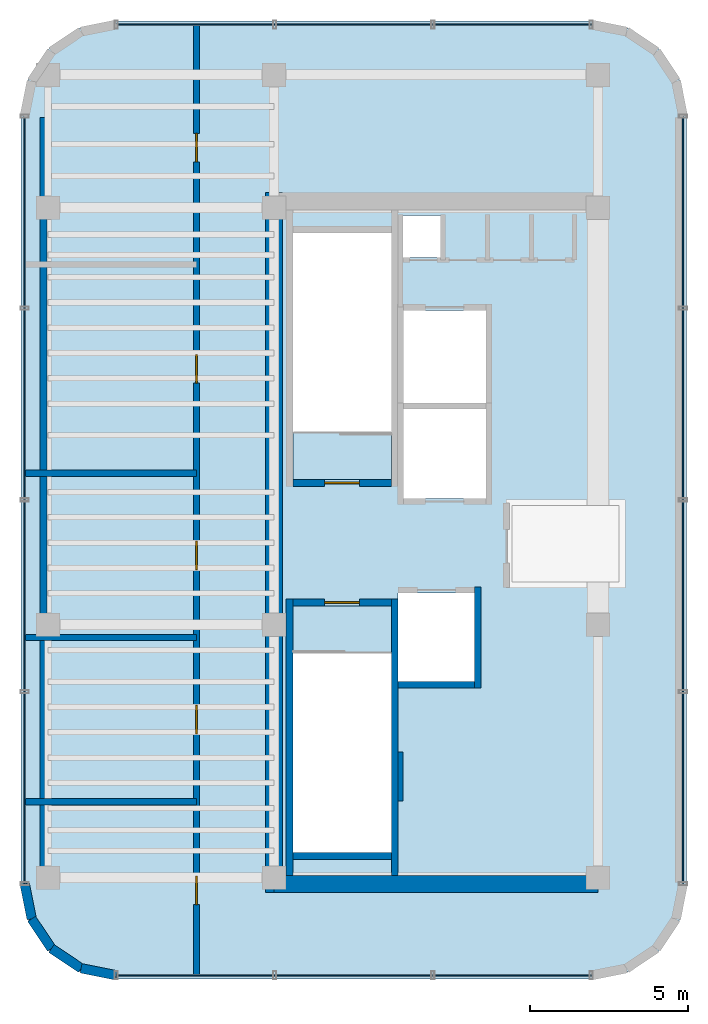
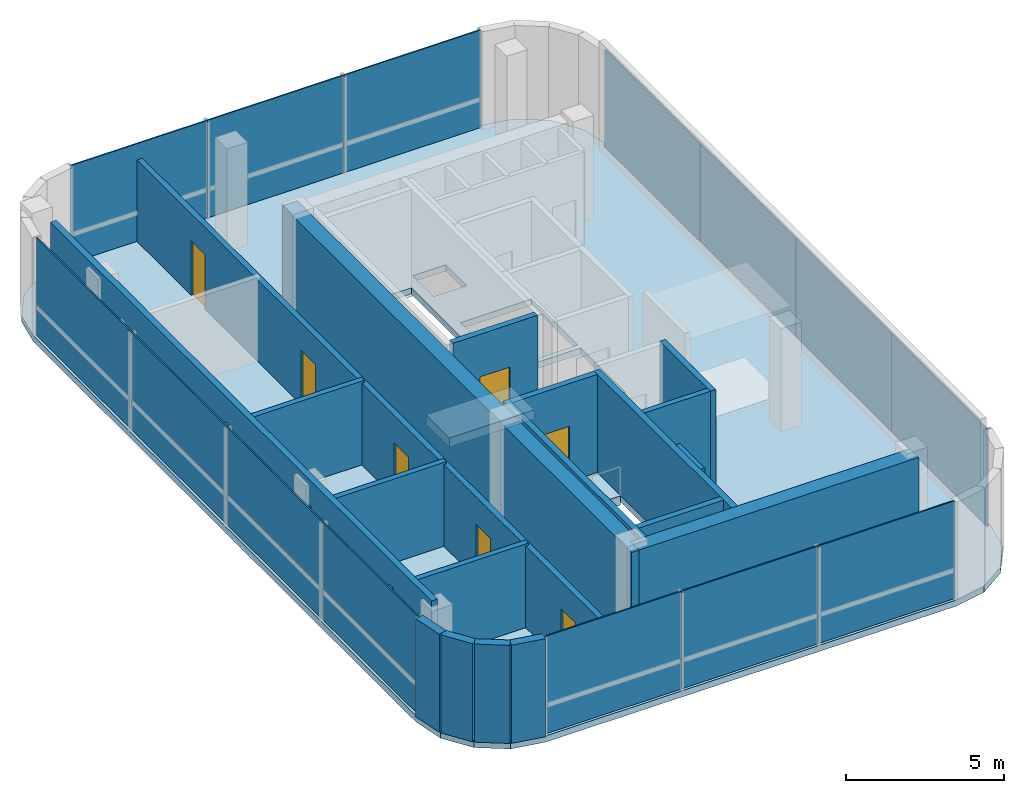
# One storey, part 9 of 11: 19 walls, 14 plates, 7 doors, 3 slabs, 7 openings, 4 elements without a shape of their own.
"""IFC4 building model written with IfcOpenShell, lengths in metres."""

from ifc_helpers import new_model, si_unit, direction, frame, frame_2d, origin, origin_2d, place, context, subcontext, project, spatial, polyline, rectangle, outline, extrude, source, transform, mapped, material, layer, layer_set, type_object, element, fill, aggregate, save


model = new_model("IFC4")

# Units and contexts
model_context = context("Model", 3, precision=1e-05, world=origin(), true_north=direction((0.0, 1.0)))
body_context = subcontext(model_context, "Body", "Model", "MODEL_VIEW")
ifc_project = project(units=[si_unit("LENGTHUNIT", "METRE"), si_unit("AREAUNIT", "SQUARE_METRE"), si_unit("VOLUMEUNIT", "CUBIC_METRE"), si_unit("PLANEANGLEUNIT", "RADIAN"), si_unit("MASSUNIT", "GRAM", prefix="KILO")], contexts=[model_context])

# Site, building, storey
site_placement = place(None, origin())
site = spatial("IfcSite", under=ifc_project, at=site_placement, CompositionType="ELEMENT")
building_placement = place(site_placement, origin())
building = spatial("IfcBuilding", under=site, at=building_placement, Name="Valdorenza Pilgrim Sanctuary Tower", CompositionType="ELEMENT")
storey_placement = place(building_placement, frame((0.0, 0.0, 303.60009765625)))
storey = spatial("IfcBuildingStorey", under=building, at=storey_placement, Name="L79", CompositionType="ELEMENT", Elevation=303.60009765625)

# Slabs
ifc_material_1 = material(Name="Concrete C40/50", Category="concrete")
ifc_layer_1 = layer(ifc_material_1, 0.239990234375, Name="Concrete C40/50")
ifc_layer_set_1 = layer_set([ifc_layer_1], Name="Concrete C40/50")
slab_type_1 = type_object("IfcSlabType", Name="SLAB-PLT-240", PredefinedType="FLOOR", material=ifc_layer_set_1)
slab_1_placement = place(storey_placement, frame((0.0, 0.0, -0.239990234375)))
element("IfcSlab", 1, at=slab_1_placement, inside=storey, type_object=slab_type_1, Name="L79 Structural Floor Slab 1", PredefinedType="FLOOR", context=body_context, shape_type="SweptSolid", body=[
    extrude(outline(polyline([(-30.64990234375, 13.5), (-30.421630859375, 14.648193359375), (-29.771240234375, 15.621337890625), (-28.798095703125, 16.271484375), (-27.64990234375, 16.5), (-12.60009765625, 16.5), (-11.451904296875, 16.271484375), (-10.478759765625, 15.621337890625), (-9.828369140625, 14.648193359375), (-9.60009765625, 13.5), (-9.60009765625, -10.800048828125), (-9.828369140625, -11.947998046875), (-10.478759765625, -12.92138671875), (-11.451904296875, -13.571533203125), (-12.60009765625, -13.800048828125), (-27.64990234375, -13.800048828125), (-28.798095703125, -13.571533203125), (-29.771240234375, -12.92138671875), (-30.421630859375, -11.947998046875), (-30.64990234375, -10.800048828125), (-30.64990234375, 13.5)]), holes=[polyline([(-18.93994140625, -9.800048828125), (-18.93994140625, -3.485107421875), (-18.93994140625, -2.0), (-22.050048828125, -2.0), (-22.050048828125, -3.485107421875), (-22.050048828125, -9.800048828125), (-18.93994140625, -9.800048828125)]), polyline([(-16.300048828125, -1.60009765625), (-18.719970703125, -1.60009765625), (-18.719970703125, -4.39990234375), (-16.300048828125, -4.39990234375), (-16.300048828125, -1.60009765625)]), polyline([(-18.93994140625, 3.485107421875), (-18.93994140625, 9.800048828125), (-22.050048828125, 9.800048828125), (-22.050048828125, 3.485107421875), (-22.050048828125, 2.0), (-18.93994140625, 2.0), (-18.93994140625, 3.485107421875)]), polyline([(-15.949951171875, 4.22509765625), (-18.550048828125, 4.22509765625), (-18.550048828125, 1.39990234375), (-15.949951171875, 1.39990234375), (-15.949951171875, 4.22509765625)]), polyline([(-15.949951171875, 7.35009765625), (-18.550048828125, 7.35009765625), (-18.550048828125, 4.425048828125), (-15.949951171875, 4.425048828125), (-15.949951171875, 7.35009765625)]), polyline([(-17.360107421875, 10.35009765625), (-18.570068359375, 10.35009765625), (-18.570068359375, 9.030029296875), (-17.360107421875, 9.030029296875), (-17.360107421875, 10.35009765625)])]), origin(), (0.0, 0.0, 1.0), 0.239990234375),
])
ifc_material_2 = material(Name="Concrete C50/60", Category="concrete")
ifc_layer_2 = layer(ifc_material_2, 0.39990234375, Name="Concrete C50/60")
ifc_layer_set_2 = layer_set([ifc_layer_2], Name="Concrete C50/60")
slab_type_2 = type_object("IfcSlabType", Name="SLAB-TRF-400", PredefinedType="FLOOR", material=ifc_layer_set_2)
slab_2_placement = place(storey_placement, frame((0.0, 0.0, -0.360107421875)))
element("IfcSlab", 2, at=slab_2_placement, inside=storey, type_object=slab_type_2, Name="L79 ST-A1 Structural Stair Landing Bearing Slab", PredefinedType="FLOOR", context=body_context, shape_type="SweptSolid", body=[
    extrude(outline(polyline([(-22.050048828125, 2.0), (-18.93994140625, 2.0), (-18.93994140625, 3.485107421875), (-22.050048828125, 3.485107421875), (-22.050048828125, 2.0)])), origin(), (0.0, 0.0, 1.0), 0.360107421875),
])
slab_3_placement = place(storey_placement, frame((0.0, 0.0, -0.360107421875)))
element("IfcSlab", 3, at=slab_3_placement, inside=storey, type_object=slab_type_2, Name="L79 ST-A2 Structural Stair Landing Bearing Slab", PredefinedType="FLOOR", context=body_context, shape_type="SweptSolid", body=[
    extrude(outline(polyline([(-22.050048828125, -3.485107421875), (-18.93994140625, -3.485107421875), (-18.93994140625, -2.0), (-22.050048828125, -2.0), (-22.050048828125, -3.485107421875)])), origin(), (0.0, 0.0, 1.0), 0.360107421875),
])

# Curtain wall, plates
ifc_material_3 = material(Name="Curtain-wall IGU glazing", Category="glass")
curtain_wall_type = type_object("IfcCurtainWallType", Name="CW-SYS-06", PredefinedType="NOTDEFINED", material=ifc_material_3)
curtain_wall_1_placement = place(storey_placement, origin())
curtain_wall_1 = element("IfcCurtainWall", 4, at=curtain_wall_1_placement, inside=storey, type_object=curtain_wall_type, Name="L79 Curtain Wall CW-L79-1-1", PredefinedType="NOTDEFINED")
ifc_material_4 = material(Name="Translucent white ceramic-fritted crown lantern glass", Category="glass")
ifc_layer_3 = layer(ifc_material_4, 0.0419921875, Name="Translucent white ceramic-fritted crown lantern glass")
ifc_layer_set_3 = layer_set([ifc_layer_3], Name="Translucent white ceramic-fritted crown lantern glass")
plate_type = type_object("IfcPlateType", Name="CW-GLZ-CROWN", PredefinedType="USERDEFINED", material=ifc_layer_set_3)
shared_shape_1 = source(origin(), body_context, "Body", "SweptSolid", [
    extrude(rectangle(XDim=6.049560546875, YDim=0.050048828125, at=origin_2d()), origin(), (0.0, 0.0, 1.0), 3.780029296875),
])
plate_1_placement = place(storey_placement, frame((-30.5400390625, -7.75439453125, 0.009765625), z_axis=(0.0, 0.0, 1.0), x_axis=(0.0, 1.0, 0.0)))
plate_1 = element("IfcPlate", 5, at=plate_1_placement, type_object=plate_type, Name="CW-L79-1-1 Full-Height Facade Panel 1", ObjectType="GLAZING", PredefinedType="USERDEFINED", context=body_context, shape_type="MappedRepresentation", body=[
    mapped(shared_shape_1, transform((0.0, 0.0, 0.0), x_axis=(1.0, 0.0, 0.0), y_axis=(0.0, 1.0, 0.0), z_axis=(0.0, 0.0, 1.0), scale=1.0)),
])
plate_2_placement = place(storey_placement, frame((-30.5400390625, -1.684814453125, 0.009765625), z_axis=(0.0, 0.0, 1.0), x_axis=(0.0, 1.0, 0.0)))
plate_2 = element("IfcPlate", 6, at=plate_2_placement, type_object=plate_type, Name="CW-L79-1-1 Full-Height Facade Panel 2", ObjectType="GLAZING", PredefinedType="USERDEFINED", context=body_context, shape_type="MappedRepresentation", body=[
    mapped(shared_shape_1, transform((0.0, 0.0, 0.0), x_axis=(1.0, 0.0, 0.0), y_axis=(0.0, 1.0, 0.0), z_axis=(0.0, 0.0, 1.0), scale=1.0)),
])
plate_3_placement = place(storey_placement, frame((-30.5400390625, 4.384765625, 0.009765625), z_axis=(0.0, 0.0, 1.0), x_axis=(0.0, 1.0, 0.0)))
plate_3 = element("IfcPlate", 7, at=plate_3_placement, type_object=plate_type, Name="CW-L79-1-1 Full-Height Facade Panel 3", ObjectType="GLAZING", PredefinedType="USERDEFINED", context=body_context, shape_type="MappedRepresentation", body=[
    mapped(shared_shape_1, transform((0.0, 0.0, 0.0), x_axis=(1.0, 0.0, 0.0), y_axis=(0.0, 1.0, 0.0), z_axis=(0.0, 0.0, 1.0), scale=1.0)),
])
plate_4_placement = place(storey_placement, frame((-30.5400390625, 10.454345703125, 0.009765625), z_axis=(0.0, 0.0, 1.0), x_axis=(0.0, 1.0, 0.0)))
plate_4 = element("IfcPlate", 8, at=plate_4_placement, type_object=plate_type, Name="CW-L79-1-1 Full-Height Facade Panel 4", ObjectType="GLAZING", PredefinedType="USERDEFINED", context=body_context, shape_type="MappedRepresentation", body=[
    mapped(shared_shape_1, transform((0.0, 0.0, 0.0), x_axis=(1.0, 0.0, 0.0), y_axis=(0.0, 1.0, 0.0), z_axis=(0.0, 0.0, 1.0), scale=1.0)),
])
aggregate(curtain_wall_1, [plate_1, plate_2, plate_3, plate_4])

curtain_wall_2_placement = place(storey_placement, origin())
curtain_wall_2 = element("IfcCurtainWall", 9, at=curtain_wall_2_placement, inside=storey, type_object=curtain_wall_type, Name="L79 Curtain Wall CW-L79-1-11", PredefinedType="NOTDEFINED")
plate_5_placement = place(storey_placement, frame((-9.7099609375, 10.454345703125, 0.009765625), z_axis=(0.0, 0.0, 1.0), x_axis=(0.0, -1.0, 0.0)))
plate_5 = element("IfcPlate", 10, at=plate_5_placement, type_object=plate_type, Name="CW-L79-1-11 Full-Height Facade Panel 1", ObjectType="GLAZING", PredefinedType="USERDEFINED", context=body_context, shape_type="MappedRepresentation", body=[
    mapped(shared_shape_1, transform((0.0, 0.0, 0.0), x_axis=(1.0, 0.0, 0.0), y_axis=(0.0, 1.0, 0.0), z_axis=(0.0, 0.0, 1.0), scale=1.0)),
])
plate_6_placement = place(storey_placement, frame((-9.7099609375, 4.384765625, 0.009765625), z_axis=(0.0, 0.0, 1.0), x_axis=(0.0, -1.0, 0.0)))
plate_6 = element("IfcPlate", 11, at=plate_6_placement, type_object=plate_type, Name="CW-L79-1-11 Full-Height Facade Panel 2", ObjectType="GLAZING", PredefinedType="USERDEFINED", context=body_context, shape_type="MappedRepresentation", body=[
    mapped(shared_shape_1, transform((0.0, 0.0, 0.0), x_axis=(1.0, 0.0, 0.0), y_axis=(0.0, 1.0, 0.0), z_axis=(0.0, 0.0, 1.0), scale=1.0)),
])
plate_7_placement = place(storey_placement, frame((-9.7099609375, -1.684814453125, 0.009765625), z_axis=(0.0, 0.0, 1.0), x_axis=(0.0, -1.0, 0.0)))
plate_7 = element("IfcPlate", 12, at=plate_7_placement, type_object=plate_type, Name="CW-L79-1-11 Full-Height Facade Panel 3", ObjectType="GLAZING", PredefinedType="USERDEFINED", context=body_context, shape_type="MappedRepresentation", body=[
    mapped(shared_shape_1, transform((0.0, 0.0, 0.0), x_axis=(1.0, 0.0, 0.0), y_axis=(0.0, 1.0, 0.0), z_axis=(0.0, 0.0, 1.0), scale=1.0)),
])
plate_8_placement = place(storey_placement, frame((-9.7099609375, -7.75439453125, 0.009765625), z_axis=(0.0, 0.0, 1.0), x_axis=(0.0, -1.0, 0.0)))
plate_8 = element("IfcPlate", 13, at=plate_8_placement, type_object=plate_type, Name="CW-L79-1-11 Full-Height Facade Panel 4", ObjectType="GLAZING", PredefinedType="USERDEFINED", context=body_context, shape_type="MappedRepresentation", body=[
    mapped(shared_shape_1, transform((0.0, 0.0, 0.0), x_axis=(1.0, 0.0, 0.0), y_axis=(0.0, 1.0, 0.0), z_axis=(0.0, 0.0, 1.0), scale=1.0)),
])
aggregate(curtain_wall_2, [plate_5, plate_6, plate_7, plate_8])

curtain_wall_3_placement = place(storey_placement, origin())
curtain_wall_3 = element("IfcCurtainWall", 14, at=curtain_wall_3_placement, inside=storey, type_object=curtain_wall_type, Name="L79 Curtain Wall CW-L79-1-6", PredefinedType="NOTDEFINED")
shared_shape_2 = source(origin(), body_context, "Body", "SweptSolid", [
    extrude(rectangle(XDim=4.989501953125, YDim=0.050048828125, at=origin_2d()), origin(), (0.0, 0.0, 1.0), 3.780029296875),
])
plate_9_placement = place(storey_placement, frame((-25.134521484375, 16.389892578125, 0.009765625), z_axis=(0.0, 0.0, 1.0), x_axis=(1.0, 0.0, 0.0)))
plate_9 = element("IfcPlate", 15, at=plate_9_placement, type_object=plate_type, Name="CW-L79-1-6 Full-Height Facade Panel 1", ObjectType="GLAZING", PredefinedType="USERDEFINED", context=body_context, shape_type="MappedRepresentation", body=[
    mapped(shared_shape_2, transform((0.0, 0.0, 0.0), x_axis=(1.0, 0.0, 0.0), y_axis=(0.0, 1.0, 0.0), z_axis=(0.0, 0.0, 1.0), scale=1.0)),
])
plate_10_placement = place(storey_placement, frame((-20.125, 16.389892578125, 0.009765625), z_axis=(0.0, 0.0, 1.0), x_axis=(1.0, 0.0, 0.0)))
plate_10 = element("IfcPlate", 16, at=plate_10_placement, type_object=plate_type, Name="CW-L79-1-6 Full-Height Facade Panel 2", ObjectType="GLAZING", PredefinedType="USERDEFINED", context=body_context, shape_type="MappedRepresentation", body=[
    mapped(shared_shape_2, transform((0.0, 0.0, 0.0), x_axis=(1.0, 0.0, 0.0), y_axis=(0.0, 1.0, 0.0), z_axis=(0.0, 0.0, 1.0), scale=1.0)),
])
plate_11_placement = place(storey_placement, frame((-15.115478515625, 16.389892578125, 0.009765625), z_axis=(0.0, 0.0, 1.0), x_axis=(1.0, 0.0, 0.0)))
plate_11 = element("IfcPlate", 17, at=plate_11_placement, type_object=plate_type, Name="CW-L79-1-6 Full-Height Facade Panel 3", ObjectType="GLAZING", PredefinedType="USERDEFINED", context=body_context, shape_type="MappedRepresentation", body=[
    mapped(shared_shape_2, transform((0.0, 0.0, 0.0), x_axis=(1.0, 0.0, 0.0), y_axis=(0.0, 1.0, 0.0), z_axis=(0.0, 0.0, 1.0), scale=1.0)),
])
aggregate(curtain_wall_3, [plate_9, plate_10, plate_11])

curtain_wall_4_placement = place(storey_placement, origin())
curtain_wall_4 = element("IfcCurtainWall", 18, at=curtain_wall_4_placement, inside=storey, type_object=curtain_wall_type, Name="L79 Curtain Wall CW-L79-1-16", PredefinedType="NOTDEFINED")
plate_12_placement = place(storey_placement, frame((-15.115478515625, -13.68994140625, 0.009765625), z_axis=(0.0, 0.0, 1.0), x_axis=(-1.0, 0.0, 0.0)))
plate_12 = element("IfcPlate", 19, at=plate_12_placement, type_object=plate_type, Name="CW-L79-1-16 Full-Height Facade Panel 1", ObjectType="GLAZING", PredefinedType="USERDEFINED", context=body_context, shape_type="MappedRepresentation", body=[
    mapped(shared_shape_2, transform((0.0, 0.0, 0.0), x_axis=(1.0, 0.0, 0.0), y_axis=(0.0, 1.0, 0.0), z_axis=(0.0, 0.0, 1.0), scale=1.0)),
])
plate_13_placement = place(storey_placement, frame((-20.125, -13.68994140625, 0.009765625), z_axis=(0.0, 0.0, 1.0), x_axis=(-1.0, 0.0, 0.0)))
plate_13 = element("IfcPlate", 20, at=plate_13_placement, type_object=plate_type, Name="CW-L79-1-16 Full-Height Facade Panel 2", ObjectType="GLAZING", PredefinedType="USERDEFINED", context=body_context, shape_type="MappedRepresentation", body=[
    mapped(shared_shape_2, transform((0.0, 0.0, 0.0), x_axis=(1.0, 0.0, 0.0), y_axis=(0.0, 1.0, 0.0), z_axis=(0.0, 0.0, 1.0), scale=1.0)),
])
plate_14_placement = place(storey_placement, frame((-25.134521484375, -13.68994140625, 0.009765625), z_axis=(0.0, 0.0, 1.0), x_axis=(-1.0, 0.0, 0.0)))
plate_14 = element("IfcPlate", 21, at=plate_14_placement, type_object=plate_type, Name="CW-L79-1-16 Full-Height Facade Panel 3", ObjectType="GLAZING", PredefinedType="USERDEFINED", context=body_context, shape_type="MappedRepresentation", body=[
    mapped(shared_shape_2, transform((0.0, 0.0, 0.0), x_axis=(1.0, 0.0, 0.0), y_axis=(0.0, 1.0, 0.0), z_axis=(0.0, 0.0, 1.0), scale=1.0)),
])
aggregate(curtain_wall_4, [plate_12, plate_13, plate_14])

# Walls
ifc_material_5 = material(Name="Acoustic twin-stud gypsum partition", Category="gypsum")
ifc_layer_4 = layer(ifc_material_5, 0.159912109375, Name="Acoustic twin-stud gypsum partition")
ifc_layer_set_4 = layer_set([ifc_layer_4], Name="Acoustic twin-stud gypsum partition")
wall_type_1 = type_object("IfcWallType", Name="WAL-COR-160", PredefinedType="PARTITIONING", material=ifc_layer_set_4)
wall_1_placement = place(storey_placement, frame((-18.64990234375, -8.179931640625, 0.0), z_axis=(0.0, 0.0, 1.0), x_axis=(0.0, 1.0, 0.0)))
element("IfcWall", 22, at=wall_1_placement, inside=storey, type_object=wall_type_1, Name="L79 Core A South Lift Hall West Wall", PredefinedType="PARTITIONING", context=body_context, shape_type="SweptSolid", body=[
    extrude(rectangle(XDim=1.559814453125, YDim=0.159912109375, at=frame_2d((0.77978515625, 0.0))), origin(), (0.0, 0.0, 1.0), 3.7998046875),
])
ifc_layer_5 = layer(ifc_material_2, 0.550048828125, Name="Concrete C50/60")
ifc_layer_set_5 = layer_set([ifc_layer_5], Name="Concrete C50/60")
wall_type_2 = type_object("IfcWallType", Name="WAL-COR-550", PredefinedType="SHEAR", material=ifc_layer_set_5)
wall_2_placement = place(storey_placement, frame((-22.64990234375, -11.074951171875, 0.0), z_axis=(0.0, 0.0, 1.0), x_axis=(0.0, 1.0, 0.0)))
element("IfcWall", 23, at=wall_2_placement, inside=storey, type_object=wall_type_2, Name="L79 Split Core A Shear Wall W", PredefinedType="SHEAR", context=body_context, shape_type="SweptSolid", body=[
    extrude(rectangle(XDim=22.14990234375, YDim=0.550048828125, at=frame_2d((11.074951171875, 0.0))), origin(), (0.0, 0.0, 1.0), 3.7998046875),
])
wall_3_placement = place(storey_placement, frame((-22.64990234375, -10.800048828125, 0.0), z_axis=(0.0, 0.0, 1.0), x_axis=(1.0, 0.0, 0.0)))
element("IfcWall", 24, at=wall_3_placement, inside=storey, type_object=wall_type_2, Name="L79 Split Core A Shear Wall S", PredefinedType="SHEAR", context=body_context, shape_type="SweptSolid", body=[
    extrude(rectangle(XDim=10.25, YDim=0.550048828125, at=frame_2d((5.125, 0.0))), origin(), (0.0, 0.0, 1.0), 3.7998046875),
])
ifc_material_6 = material(Name="Honed travertine limestone", Category="masonry")
ifc_layer_6 = layer(ifc_material_6, 0.300048828125, Name="Honed travertine limestone")
ifc_layer_set_6 = layer_set([ifc_layer_6], Name="Honed travertine limestone")
wall_type_3 = type_object("IfcWallType", Name="WAL-EXT-300", PredefinedType="SOLIDWALL", material=ifc_layer_set_6)
wall_4_placement = place(storey_placement, frame((-27.63916015625, -13.68994140625, 0.0), z_axis=(0.0, 0.0, 1.0), x_axis=(-0.980794657743, 0.195043173023, 0.0)))
element("IfcWall", 25, at=wall_4_placement, inside=storey, type_object=wall_type_3, Name="L79 Rounded Wind-Corner Stone Pier 17", PredefinedType="SOLIDWALL", context=body_context, shape_type="SweptSolid", body=[
    extrude(rectangle(XDim=1.137939453125, YDim=0.300048828125, at=frame_2d((0.56884765625, 0.0))), origin(), (0.0, 0.0, 1.0), 3.7998046875),
])
for number, where, z_axis, x_axis, name in (
    (26, (-28.755126953125, -13.468017578125, 0.0), (0.0, 0.0, 1.0), (-0.831449735491, 0.555599979619, 0.0), "L79 Rounded Wind-Corner Stone Pier 18"),
    (27, (-29.69189453125, -12.842041015625, 0.0), (0.0, 0.0, 1.0), (-0.555749754081, 0.831349632128, 0.0), "L79 Rounded Wind-Corner Stone Pier 19"),
):
    element("IfcWall", number, at=place(storey_placement, frame(where, z_axis=z_axis, x_axis=x_axis)), inside=storey, type_object=wall_type_3, Name=name, PredefinedType="SOLIDWALL", context=body_context, shape_type="SweptSolid", body=[
        extrude(rectangle(XDim=1.126708984375, YDim=0.300048828125, at=frame_2d((0.5634765625, 0.0))), origin(), (0.0, 0.0, 1.0), 3.7998046875),
    ])
wall_5_placement = place(storey_placement, frame((-30.318115234375, -11.9052734375, 0.0), z_axis=(0.0, 0.0, 1.0), x_axis=(-0.195043173023, 0.980794657743, 0.0)))
element("IfcWall", 28, at=wall_5_placement, inside=storey, type_object=wall_type_3, Name="L79 Rounded Wind-Corner Stone Pier 20", PredefinedType="SOLIDWALL", context=body_context, shape_type="SweptSolid", body=[
    extrude(rectangle(XDim=1.137939453125, YDim=0.300048828125, at=frame_2d((0.56884765625, 0.0))), origin(), (0.0, 0.0, 1.0), 3.7998046875),
])

# Wall, openings, doors
ifc_material_7 = material(Name="Gypsum shaftwall partition", Category="gypsum")
ifc_layer_7 = layer(ifc_material_7, 0.199951171875, Name="Gypsum shaftwall partition")
ifc_layer_set_7 = layer_set([ifc_layer_7], Name="Gypsum shaftwall partition")
wall_type_4 = type_object("IfcWallType", Name="WAL-FFL-200", PredefinedType="PARTITIONING", material=ifc_layer_set_7)
wall_6_placement = place(storey_placement, frame((-25.10009765625, -13.68994140625, 0.0), z_axis=(0.0, 0.0, 1.0), x_axis=(0.0, 1.0, 0.0)))
wall_6 = element("IfcWall", 29, at=wall_6_placement, inside=storey, type_object=wall_type_4, Name="L79 L79 Mechanical Plant Wall", PredefinedType="PARTITIONING", context=body_context, shape_type="SweptSolid", body=[
    extrude(rectangle(XDim=30.079833984375, YDim=0.199951171875, at=frame_2d((15.0400390625, 0.0))), origin(), (0.0, 0.0, 1.0), 3.162841796875),
])
opening_1_placement = place(wall_6_placement, frame((2.239990234375, 0.0, 0.0)))
opening_1 = element("IfcOpeningElement", 30, at=opening_1_placement, cuts=wall_6, Name="Opening DR-RM1", PredefinedType="OPENING", context=body_context, shape_type="SweptSolid", body=[
    extrude(rectangle(XDim=0.89990234375, YDim=2.10009765625, at=frame_2d((0.449951171875, 1.050048828125))), frame((0.0, 0.11474609375, 0.0), z_axis=(0.0, -1.0, 0.0), x_axis=(1.0, 0.0, 0.0)), (0.0, 0.0, 1.0), 0.229736328125),
])
opening_2_placement = place(wall_6_placement, frame((7.639892578125, 0.0, 0.0)))
opening_2 = element("IfcOpeningElement", 31, at=opening_2_placement, cuts=wall_6, Name="Opening DR-RM1", PredefinedType="OPENING", context=body_context, shape_type="SweptSolid", body=[
    extrude(rectangle(XDim=0.89990234375, YDim=2.10009765625, at=frame_2d((0.449951171875, 1.050048828125))), frame((0.0, 0.11474609375, 0.0), z_axis=(0.0, -1.0, 0.0), x_axis=(1.0, 0.0, 0.0)), (0.0, 0.0, 1.0), 0.229736328125),
])
opening_3_placement = place(wall_6_placement, frame((12.840087890625, 0.0, 0.0)))
opening_3 = element("IfcOpeningElement", 32, at=opening_3_placement, cuts=wall_6, Name="Opening DR-RM1", PredefinedType="OPENING", context=body_context, shape_type="SweptSolid", body=[
    extrude(rectangle(XDim=0.89990234375, YDim=2.10009765625, at=frame_2d((0.449951171875, 1.050048828125))), frame((0.0, 0.11474609375, 0.0), z_axis=(0.0, -1.0, 0.0), x_axis=(1.0, 0.0, 0.0)), (0.0, 0.0, 1.0), 0.229736328125),
])
opening_4_placement = place(wall_6_placement, frame((18.739990234375, 0.0, 0.0)))
opening_4 = element("IfcOpeningElement", 33, at=opening_4_placement, cuts=wall_6, Name="Opening DR-RM1", PredefinedType="OPENING", context=body_context, shape_type="SweptSolid", body=[
    extrude(rectangle(XDim=0.89990234375, YDim=2.10009765625, at=frame_2d((0.449951171875, 1.050048828125))), frame((0.0, 0.11474609375, 0.0), z_axis=(0.0, -1.0, 0.0), x_axis=(1.0, 0.0, 0.0)), (0.0, 0.0, 1.0), 0.229736328125),
])
opening_5_placement = place(wall_6_placement, frame((25.739990234375, 0.0, 0.0)))
opening_5 = element("IfcOpeningElement", 34, at=opening_5_placement, cuts=wall_6, Name="Opening DR-RM1", PredefinedType="OPENING", context=body_context, shape_type="SweptSolid", body=[
    extrude(rectangle(XDim=0.89990234375, YDim=2.10009765625, at=frame_2d((0.449951171875, 1.050048828125))), frame((0.0, 0.11474609375, 0.0), z_axis=(0.0, -1.0, 0.0), x_axis=(1.0, 0.0, 0.0)), (0.0, 0.0, 1.0), 0.229736328125),
])
ifc_material_8 = material(Name="Solid-core European oak timber", Category="wood")
door_type_1 = type_object("IfcDoorType", Name="DR-ROOM-900", OperationType="NOTDEFINED", PredefinedType="DOOR", material=ifc_material_8)
door_1_placement = place(opening_1_placement, frame((0.89990234375, 0.0, 0.0), z_axis=(0.0, 0.0, 1.0), x_axis=(-1.0, 0.0, 0.0)))
door_1 = element("IfcDoor", 35, at=door_1_placement, inside=storey, type_object=door_type_1, Name="L79 L79 Chilled-Water Booster Plant Room Door", OperationType="SINGLE_SWING_LEFT", OverallHeight=2.10009765625, OverallWidth=0.89990234375, PredefinedType="DOOR", context=body_context, shape_type="SweptSolid", body=[
    extrude(rectangle(XDim=0.89990234375, YDim=2.10009765625, at=frame_2d((0.449951171875, 1.050048828125))), frame((0.0, 0.02490234375, 0.0), z_axis=(0.0, -1.0, 0.0), x_axis=(1.0, 0.0, 0.0)), (0.0, 0.0, 1.0), 0.050048828125),
])
fill(opening_1, door_1)
door_2_placement = place(opening_2_placement, origin())
door_2 = element("IfcDoor", 36, at=door_2_placement, inside=storey, type_object=door_type_1, Name="L79 L79 South AHU and Heat-Recovery Plant Room Door", OperationType="SINGLE_SWING_RIGHT", OverallHeight=2.10009765625, OverallWidth=0.89990234375, PredefinedType="DOOR", context=body_context, shape_type="SweptSolid", body=[
    extrude(rectangle(XDim=0.89990234375, YDim=2.10009765625, at=frame_2d((0.449951171875, 1.050048828125))), frame((0.0, 0.02490234375, 0.0), z_axis=(0.0, -1.0, 0.0), x_axis=(1.0, 0.0, 0.0)), (0.0, 0.0, 1.0), 0.050048828125),
])
fill(opening_2, door_2)
door_3_placement = place(opening_3_placement, frame((0.89990234375, 0.0, 0.0), z_axis=(0.0, 0.0, 1.0), x_axis=(-1.0, 0.0, 0.0)))
door_3 = element("IfcDoor", 37, at=door_3_placement, inside=storey, type_object=door_type_1, Name="L79 L79 Primary Air-Handling Plant Room Door", OperationType="SINGLE_SWING_LEFT", OverallHeight=2.10009765625, OverallWidth=0.89990234375, PredefinedType="DOOR", context=body_context, shape_type="SweptSolid", body=[
    extrude(rectangle(XDim=0.89990234375, YDim=2.10009765625, at=frame_2d((0.449951171875, 1.050048828125))), frame((0.0, 0.02490234375, 0.0), z_axis=(0.0, -1.0, 0.0), x_axis=(1.0, 0.0, 0.0)), (0.0, 0.0, 1.0), 0.050048828125),
])
fill(opening_3, door_3)
door_4_placement = place(opening_4_placement, origin())
door_4 = element("IfcDoor", 38, at=door_4_placement, inside=storey, type_object=door_type_1, Name="L79 L79 Crown Smoke-Extract Plant Room Door", OperationType="SINGLE_SWING_RIGHT", OverallHeight=2.10009765625, OverallWidth=0.89990234375, PredefinedType="DOOR", context=body_context, shape_type="SweptSolid", body=[
    extrude(rectangle(XDim=0.89990234375, YDim=2.10009765625, at=frame_2d((0.449951171875, 1.050048828125))), frame((0.0, 0.02490234375, 0.0), z_axis=(0.0, -1.0, 0.0), x_axis=(1.0, 0.0, 0.0)), (0.0, 0.0, 1.0), 0.050048828125),
])
fill(opening_4, door_4)
door_5_placement = place(opening_5_placement, frame((0.89990234375, 0.0, 0.0), z_axis=(0.0, 0.0, 1.0), x_axis=(-1.0, 0.0, 0.0)))
door_5 = element("IfcDoor", 39, at=door_5_placement, inside=storey, type_object=door_type_1, Name="L79 L79 Electrical Substation Transformer Plant Room Door", OperationType="SINGLE_SWING_LEFT", OverallHeight=2.10009765625, OverallWidth=0.89990234375, PredefinedType="DOOR", context=body_context, shape_type="SweptSolid", body=[
    extrude(rectangle(XDim=0.89990234375, YDim=2.10009765625, at=frame_2d((0.449951171875, 1.050048828125))), frame((0.0, 0.02490234375, 0.0), z_axis=(0.0, -1.0, 0.0), x_axis=(1.0, 0.0, 0.0)), (0.0, 0.0, 1.0), 0.050048828125),
])
fill(opening_5, door_5)

# Walls
for number, where, z_axis, x_axis, name in (
    (40, (-30.5400390625, -8.199951171875, 0.0), (0.0, 0.0, 1.0), (1.0, 0.0, 0.0), "L79 L79 Plant Compartment Wall 1"),
    (41, (-30.5400390625, -3.0, 0.0), (0.0, 0.0, 1.0), (1.0, 0.0, 0.0), "L79 L79 Plant Compartment Wall 2"),
    (42, (-30.5400390625, 2.199951171875, 0.0), (0.0, 0.0, 1.0), (1.0, 0.0, 0.0), "L79 L79 Plant Compartment Wall 3"),
):
    element("IfcWall", number, at=place(storey_placement, frame(where, z_axis=z_axis, x_axis=x_axis)), inside=storey, type_object=wall_type_4, Name=name, PredefinedType="PARTITIONING", context=body_context, shape_type="SweptSolid", body=[
        extrude(rectangle(XDim=5.43994140625, YDim=0.199951171875, at=frame_2d((2.719970703125, 0.0))), origin(), (0.0, 0.0, 1.0), 3.245849609375),
    ])
ifc_material_9 = material(Name="Autoclaved aerated concrete blockwork", Category="masonry")
ifc_layer_8 = layer(ifc_material_9, 0.199951171875, Name="Autoclaved aerated concrete blockwork")
ifc_layer_set_8 = layer_set([ifc_layer_8], Name="Autoclaved aerated concrete blockwork")
wall_type_5 = type_object("IfcWallType", Name="WAL-SHF-200", PredefinedType="MOVABLE", material=ifc_layer_set_8)
wall_7_placement = place(storey_placement, frame((-16.199951171875, -4.60009765625, 0.0), z_axis=(0.0, 0.0, 1.0), x_axis=(0.0, 1.0, 0.0)))
element("IfcWall", 43, at=wall_7_placement, inside=storey, type_object=wall_type_5, Name="L79 Lift FFL-02 Hoistway Wall East", PredefinedType="MOVABLE", context=body_context, shape_type="SweptSolid", body=[
    extrude(rectangle(XDim=3.2001953125, YDim=0.199951171875, at=frame_2d((1.60009765625, 0.0))), origin(), (0.0, 0.0, 1.0), 3.7998046875),
])
wall_8_placement = place(storey_placement, frame((-18.719970703125, -4.5, 0.0), z_axis=(0.0, 0.0, 1.0), x_axis=(1.0, 0.0, 0.0)))
element("IfcWall", 44, at=wall_8_placement, inside=storey, type_object=wall_type_5, Name="L79 Lift FFL-02 Hoistway Wall South", PredefinedType="MOVABLE", context=body_context, shape_type="SweptSolid", body=[
    extrude(rectangle(XDim=2.419921875, YDim=0.199951171875, at=frame_2d((1.2099609375, 0.0))), origin(), (0.0, 0.0, 1.0), 3.7998046875),
])

# Wall, opening, door
ifc_layer_9 = layer(ifc_material_1, 0.219970703125, Name="Concrete C40/50")
ifc_layer_set_9 = layer_set([ifc_layer_9], Name="Concrete C40/50")
wall_type_6 = type_object("IfcWallType", Name="WAL-STR-SHF-220", PredefinedType="SHEAR", material=ifc_layer_set_9)
wall_9_placement = place(storey_placement, frame((-22.050048828125, 1.889892578125, 0.0), z_axis=(0.0, 0.0, 1.0), x_axis=(1.0, 0.0, 0.0)))
wall_9 = element("IfcWall", 45, at=wall_9_placement, inside=storey, type_object=wall_type_6, Name="L79 ST-A1 Structural Stairwell Wall S", PredefinedType="SHEAR", context=body_context, shape_type="SweptSolid", body=[
    extrude(rectangle(XDim=3.110107421875, YDim=0.219970703125, at=frame_2d((1.55517578125, 0.0))), origin(), (0.0, 0.0, 1.0), 3.7998046875),
])
opening_6_placement = place(wall_9_placement, frame((1.0, 0.0, 0.0)))
opening_6 = element("IfcOpeningElement", 46, at=opening_6_placement, cuts=wall_9, Name="Opening DR-ST1", PredefinedType="OPENING", context=body_context, shape_type="SweptSolid", body=[
    extrude(rectangle(XDim=1.10009765625, YDim=2.14990234375, at=frame_2d((0.550048828125, 1.074951171875))), frame((0.0, 0.125, 0.0), z_axis=(0.0, -1.0, 0.0), x_axis=(1.0, 0.0, 0.0)), (0.0, 0.0, 1.0), 0.249755859375),
])
ifc_material_10 = material(Name="Painted galvanized steel", Category="steel")
door_type_2 = type_object("IfcDoorType", Name="DR-STAIR-1100", OperationType="NOTDEFINED", PredefinedType="DOOR", material=ifc_material_10)
door_6_placement = place(opening_6_placement, frame((1.10009765625, 0.0, 0.0), z_axis=(0.0, 0.0, 1.0), x_axis=(-1.0, 0.0, 0.0)))
door_6 = element("IfcDoor", 47, at=door_6_placement, inside=storey, type_object=door_type_2, Name="L79 Exit Stair ST-A1 Door", OperationType="SINGLE_SWING_LEFT", OverallHeight=2.14990234375, OverallWidth=1.10009765625, PredefinedType="DOOR", context=body_context, shape_type="SweptSolid", body=[
    extrude(rectangle(XDim=1.10009765625, YDim=2.14990234375, at=frame_2d((0.550048828125, 1.074951171875))), frame((0.0, 0.02490234375, 0.0), z_axis=(0.0, -1.0, 0.0), x_axis=(1.0, 0.0, 0.0)), (0.0, 0.0, 1.0), 0.050048828125),
])
fill(opening_6, door_6)

# Walls
for number, where, z_axis, x_axis, name in (
    (48, (-22.159912109375, -10.52490234375, 0.0), (0.0, 0.0, 1.0), (0.0, 1.0, 0.0), "L79 ST-A2 Structural Stairwell Wall W"),
    (49, (-18.830078125, -10.52490234375, 0.0), (0.0, 0.0, 1.0), (0.0, 1.0, 0.0), "L79 ST-A2 Structural Stairwell Wall E"),
):
    element("IfcWall", number, at=place(storey_placement, frame(where, z_axis=z_axis, x_axis=x_axis)), inside=storey, type_object=wall_type_6, Name=name, PredefinedType="SHEAR", context=body_context, shape_type="SweptSolid", body=[
        extrude(rectangle(XDim=8.744873046875, YDim=0.219970703125, at=frame_2d((4.37255859375, 0.0))), origin(), (0.0, 0.0, 1.0), 3.7998046875),
    ])
wall_10_placement = place(storey_placement, frame((-22.050048828125, -9.909912109375, 0.0), z_axis=(0.0, 0.0, 1.0), x_axis=(1.0, 0.0, 0.0)))
element("IfcWall", 50, at=wall_10_placement, inside=storey, type_object=wall_type_6, Name="L79 ST-A2 Structural Stairwell Wall S", PredefinedType="SHEAR", context=body_context, shape_type="SweptSolid", body=[
    extrude(rectangle(XDim=3.110107421875, YDim=0.219970703125, at=frame_2d((1.55517578125, 0.0))), origin(), (0.0, 0.0, 1.0), 3.7998046875),
])

# Wall, opening, door
wall_11_placement = place(storey_placement, frame((-22.050048828125, -1.889892578125, 0.0), z_axis=(0.0, 0.0, 1.0), x_axis=(1.0, 0.0, 0.0)))
wall_11 = element("IfcWall", 51, at=wall_11_placement, inside=storey, type_object=wall_type_6, Name="L79 ST-A2 Structural Stairwell Wall N", PredefinedType="SHEAR", context=body_context, shape_type="SweptSolid", body=[
    extrude(rectangle(XDim=3.110107421875, YDim=0.219970703125, at=frame_2d((1.55517578125, 0.0))), origin(), (0.0, 0.0, 1.0), 3.7998046875),
])
opening_7_placement = place(wall_11_placement, frame((1.0, 0.0, 0.0)))
opening_7 = element("IfcOpeningElement", 52, at=opening_7_placement, cuts=wall_11, Name="Opening DR-ST1", PredefinedType="OPENING", context=body_context, shape_type="SweptSolid", body=[
    extrude(rectangle(XDim=1.10009765625, YDim=2.14990234375, at=frame_2d((0.550048828125, 1.074951171875))), frame((0.0, 0.125, 0.0), z_axis=(0.0, -1.0, 0.0), x_axis=(1.0, 0.0, 0.0)), (0.0, 0.0, 1.0), 0.249755859375),
])
door_7_placement = place(opening_7_placement, origin())
door_7 = element("IfcDoor", 53, at=door_7_placement, inside=storey, type_object=door_type_2, Name="L79 Exit Stair ST-A2 Door", OperationType="SINGLE_SWING_RIGHT", OverallHeight=2.14990234375, OverallWidth=1.10009765625, PredefinedType="DOOR", context=body_context, shape_type="SweptSolid", body=[
    extrude(rectangle(XDim=1.10009765625, YDim=2.14990234375, at=frame_2d((0.550048828125, 1.074951171875))), frame((0.0, 0.02490234375, 0.0), z_axis=(0.0, -1.0, 0.0), x_axis=(1.0, 0.0, 0.0)), (0.0, 0.0, 1.0), 0.050048828125),
])
fill(opening_7, door_7)

# Wall
wall_12_placement = place(storey_placement, frame((-29.949951171875, -10.75, 0.0), z_axis=(0.0, 0.0, 1.0), x_axis=(0.0, 1.0, 0.0)))
element("IfcWall", 54, at=wall_12_placement, inside=storey, type_object=wall_type_6, Name="L79 Crown Eave Structural Bearing Wall W", PredefinedType="SHEAR", context=body_context, shape_type="SweptSolid", body=[
    extrude(rectangle(XDim=24.199951171875, YDim=0.219970703125, at=frame_2d((12.10009765625, 0.0))), origin(), (0.0, 0.0, 1.0), 4.219970703125),
])

save(model, "model.ifc")
